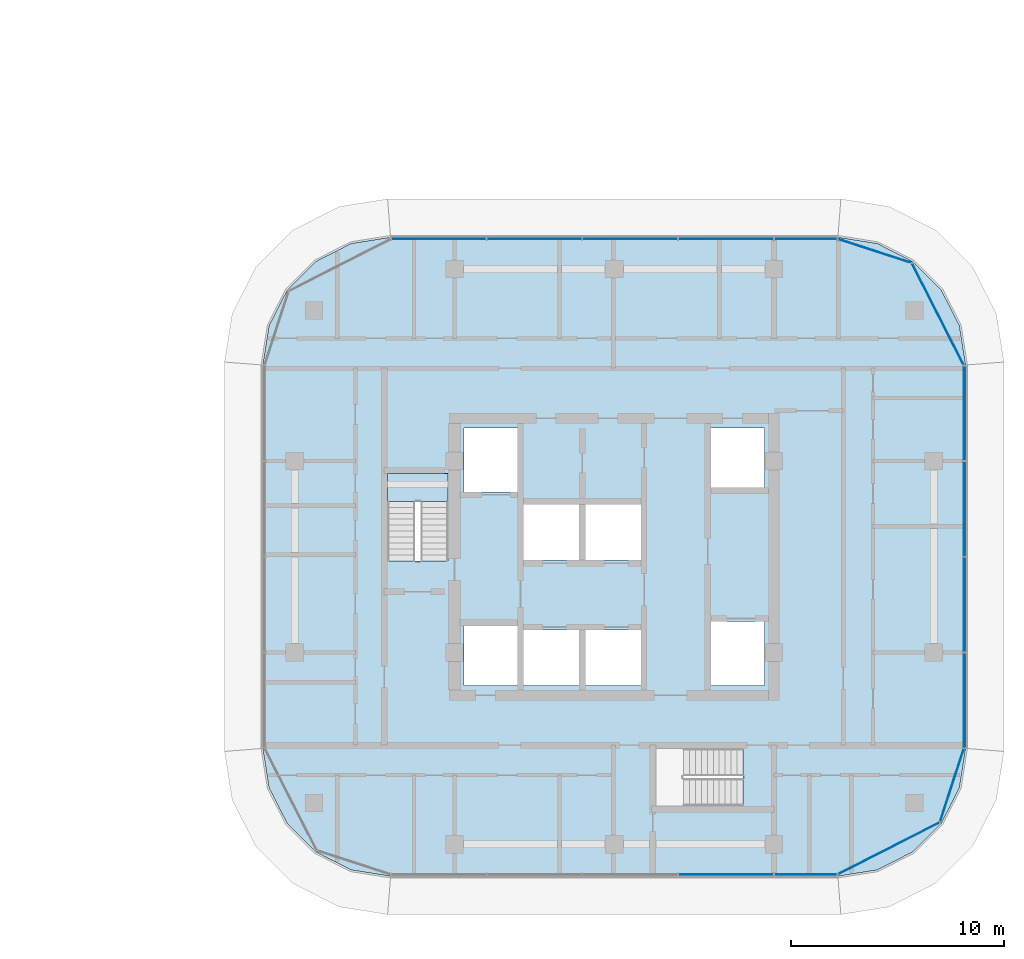
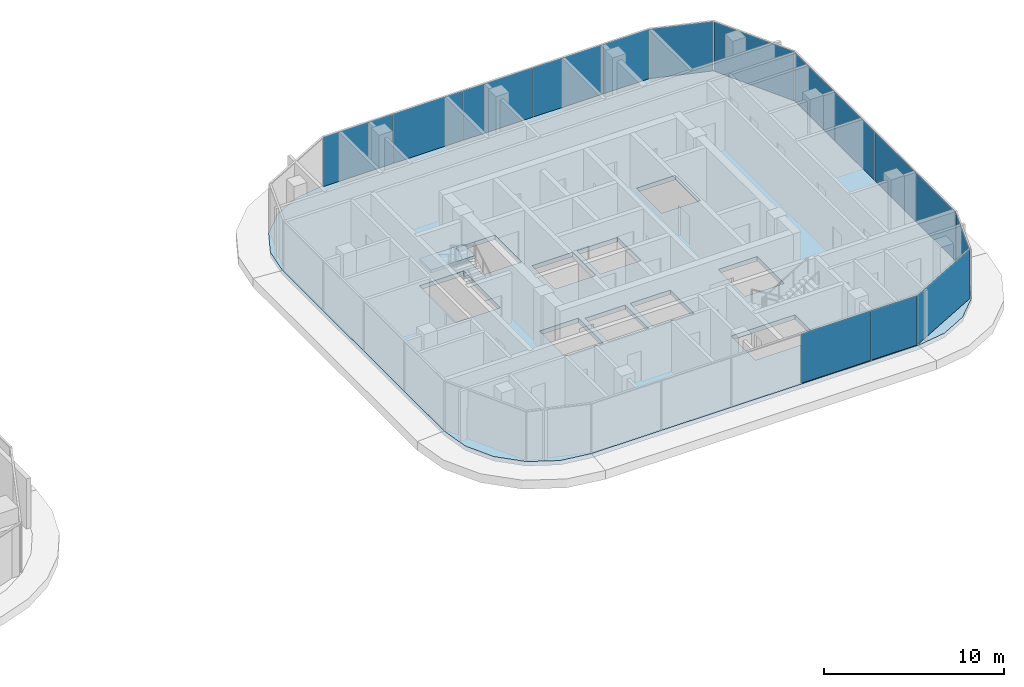
# One storey, part 15 of 36: 15 plates, 2 slabs, 6 elements without a shape of their own.
"""IFC4 building model written with IfcOpenShell, lengths in metres."""

from ifc_helpers import new_model, si_unit, direction, frame, origin, origin_2d, place, context, subcontext, project, spatial, polyline, rectangle, outline, extrude, material, layer, layer_set, type_object, element, aggregate, save


model = new_model("IFC4")

# Units and contexts
model_context = context("Model", 3, precision=1e-05, world=origin(), true_north=direction((0.0, 1.0)))
body_context = subcontext(model_context, "Body", "Model", "MODEL_VIEW")
ifc_project = project(units=[si_unit("LENGTHUNIT", "METRE"), si_unit("AREAUNIT", "SQUARE_METRE"), si_unit("VOLUMEUNIT", "CUBIC_METRE"), si_unit("PLANEANGLEUNIT", "RADIAN"), si_unit("MASSUNIT", "GRAM", prefix="KILO")], contexts=[model_context])

# Site, building, storey
site_placement = place(None, origin())
site = spatial("IfcSite", under=ifc_project, at=site_placement, CompositionType="ELEMENT")
building_placement = place(site_placement, origin())
building = spatial("IfcBuilding", under=site, at=building_placement, Name="Ogive Portal Towers", CompositionType="ELEMENT")
storey_placement = place(building_placement, frame((0.0, 0.0, 70.5)))
storey = spatial("IfcBuildingStorey", under=building, at=storey_placement, Name="L16", CompositionType="ELEMENT", Elevation=70.5)

# Curtain wall, plates
ifc_material_1 = material(Name="Glass, clear low-iron insulated glazing", Category="glass")
curtain_wall_type = type_object("IfcCurtainWallType", Name="CW RESIDENCES RIBBON", PredefinedType="NOTDEFINED", material=ifc_material_1)
curtain_wall_1_placement = place(storey_placement, origin())
curtain_wall_1 = element("IfcCurtainWall", 1, at=curtain_wall_1_placement, inside=storey, type_object=curtain_wall_type, Name="B:L16:f02:cw0", PredefinedType="NOTDEFINED")
ifc_layer_1 = layer(ifc_material_1, 0.028076171875)
ifc_layer_set_1 = layer_set([ifc_layer_1], Name="CW PANEL IGU 28")
plate_type = type_object("IfcPlateType", Name="CW PANEL IGU 28", PredefinedType="CURTAIN_PANEL", material=ifc_layer_set_1)
plate_1_placement = place(storey_placement, frame((141.75, 16.080078125, 0.0), z_axis=(0.0, 0.0, 1.0), x_axis=(1.0, 0.0, 0.0)))
plate_1 = element("IfcPlate", 2, at=plate_1_placement, type_object=plate_type, Name="panel", PredefinedType="CURTAIN_PANEL", context=body_context, shape_type="SweptSolid", body=[
    extrude(rectangle(XDim=4.43994140625, YDim=0.028076171875, at=origin_2d()), origin(), (0.0, 0.0, 1.0), 3.340087890625),
])
plate_2_placement = place(storey_placement, frame((145.490478515625, 16.080078125, 0.0), z_axis=(0.0, 0.0, 1.0), x_axis=(1.0, 0.0, 0.0)))
plate_2 = element("IfcPlate", 3, at=plate_2_placement, type_object=plate_type, Name="panel", PredefinedType="CURTAIN_PANEL", context=body_context, shape_type="SweptSolid", body=[
    extrude(rectangle(XDim=2.9208984375, YDim=0.028076171875, at=origin_2d()), origin(), (0.0, 0.0, 1.0), 3.340087890625),
])
aggregate(curtain_wall_1, [plate_1, plate_2])

curtain_wall_2_placement = place(storey_placement, origin())
curtain_wall_2 = element("IfcCurtainWall", 4, at=curtain_wall_2_placement, inside=storey, type_object=curtain_wall_type, Name="B:L16:f05:cw0", PredefinedType="NOTDEFINED")
plate_3_placement = place(storey_placement, frame((152.919921875, 24.25634765625, 0.0), z_axis=(0.0, 0.0, 1.0), x_axis=(0.0, 1.0, 0.0)))
plate_3 = element("IfcPlate", 5, at=plate_3_placement, type_object=plate_type, Name="panel", PredefinedType="CURTAIN_PANEL", context=body_context, shape_type="SweptSolid", body=[
    extrude(rectangle(XDim=4.42724609375, YDim=0.028076171875, at=origin_2d()), origin(), (0.0, 0.0, 1.0), 3.340087890625),
])
plate_4_placement = place(storey_placement, frame((152.919921875, 28.75, 0.0), z_axis=(0.0, 0.0, 1.0), x_axis=(0.0, 1.0, 0.0)))
plate_4 = element("IfcPlate", 6, at=plate_4_placement, type_object=plate_type, Name="panel", PredefinedType="CURTAIN_PANEL", context=body_context, shape_type="SweptSolid", body=[
    extrude(rectangle(XDim=4.43994140625, YDim=0.028076171875, at=origin_2d()), origin(), (0.0, 0.0, 1.0), 3.340087890625),
])
plate_5_placement = place(storey_placement, frame((152.919921875, 33.25, 0.0), z_axis=(0.0, 0.0, 1.0), x_axis=(0.0, 1.0, 0.0)))
plate_5 = element("IfcPlate", 7, at=plate_5_placement, type_object=plate_type, Name="panel", PredefinedType="CURTAIN_PANEL", context=body_context, shape_type="SweptSolid", body=[
    extrude(rectangle(XDim=4.43994140625, YDim=0.028076171875, at=origin_2d()), origin(), (0.0, 0.0, 1.0), 3.340087890625),
])
plate_6_placement = place(storey_placement, frame((152.919921875, 37.740478515625, 0.0), z_axis=(0.0, 0.0, 1.0), x_axis=(0.0, 1.0, 0.0)))
plate_6 = element("IfcPlate", 8, at=plate_6_placement, type_object=plate_type, Name="panel", PredefinedType="CURTAIN_PANEL", context=body_context, shape_type="SweptSolid", body=[
    extrude(rectangle(XDim=4.4208984375, YDim=0.028076171875, at=origin_2d()), origin(), (0.0, 0.0, 1.0), 3.340087890625),
])
aggregate(curtain_wall_2, [plate_3, plate_4, plate_5, plate_6])

curtain_wall_3_placement = place(storey_placement, origin())
curtain_wall_3 = element("IfcCurtainWall", 9, at=curtain_wall_3_placement, inside=storey, type_object=curtain_wall_type, Name="B:L16:f08:cw0", PredefinedType="NOTDEFINED")
plate_7_placement = place(storey_placement, frame((145.49365234375, 45.919921875, 0.0), z_axis=(0.0, 0.0, 1.0), x_axis=(-1.0, 0.0, 0.0)))
plate_7 = element("IfcPlate", 10, at=plate_7_placement, type_object=plate_type, Name="panel", PredefinedType="CURTAIN_PANEL", context=body_context, shape_type="SweptSolid", body=[
    extrude(rectangle(XDim=2.92724609375, YDim=0.028076171875, at=origin_2d()), origin(), (0.0, 0.0, 1.0), 3.340087890625),
])
plate_8_placement = place(storey_placement, frame((141.75, 45.919921875, 0.0), z_axis=(0.0, 0.0, 1.0), x_axis=(-1.0, 0.0, 0.0)))
plate_8 = element("IfcPlate", 11, at=plate_8_placement, type_object=plate_type, Name="panel", PredefinedType="CURTAIN_PANEL", context=body_context, shape_type="SweptSolid", body=[
    extrude(rectangle(XDim=4.43994140625, YDim=0.028076171875, at=origin_2d()), origin(), (0.0, 0.0, 1.0), 3.340087890625),
])
plate_9_placement = place(storey_placement, frame((137.25, 45.919921875, 0.0), z_axis=(0.0, 0.0, 1.0), x_axis=(-1.0, 0.0, 0.0)))
plate_9 = element("IfcPlate", 12, at=plate_9_placement, type_object=plate_type, Name="panel", PredefinedType="CURTAIN_PANEL", context=body_context, shape_type="SweptSolid", body=[
    extrude(rectangle(XDim=4.43994140625, YDim=0.028076171875, at=origin_2d()), origin(), (0.0, 0.0, 1.0), 3.340087890625),
])
plate_10_placement = place(storey_placement, frame((132.75, 45.919921875, 0.0), z_axis=(0.0, 0.0, 1.0), x_axis=(-1.0, 0.0, 0.0)))
plate_10 = element("IfcPlate", 13, at=plate_10_placement, type_object=plate_type, Name="panel", PredefinedType="CURTAIN_PANEL", context=body_context, shape_type="SweptSolid", body=[
    extrude(rectangle(XDim=4.43994140625, YDim=0.028076171875, at=origin_2d()), origin(), (0.0, 0.0, 1.0), 3.340087890625),
])
plate_11_placement = place(storey_placement, frame((128.259521484375, 45.919921875, 0.0), z_axis=(0.0, 0.0, 1.0), x_axis=(-1.0, 0.0, 0.0)))
plate_11 = element("IfcPlate", 14, at=plate_11_placement, type_object=plate_type, Name="panel", PredefinedType="CURTAIN_PANEL", context=body_context, shape_type="SweptSolid", body=[
    extrude(rectangle(XDim=4.4208984375, YDim=0.028076171875, at=origin_2d()), origin(), (0.0, 0.0, 1.0), 3.340087890625),
])
aggregate(curtain_wall_3, [plate_7, plate_8, plate_9, plate_10, plate_11])

curtain_wall_4_placement = place(storey_placement, origin())
curtain_wall_4 = element("IfcCurtainWall", 15, at=curtain_wall_4_placement, inside=storey, type_object=curtain_wall_type, Name="B:L16:f03:cwa", PredefinedType="NOTDEFINED")
plate_12_placement = place(storey_placement, frame((149.384521484375, 17.3046875, 0.0), z_axis=(0.0, 0.0, 1.0), x_axis=(0.891006524188, 0.45399049974, 0.0)))
plate_12 = element("IfcPlate", 16, at=plate_12_placement, type_object=plate_type, Name="panel", PredefinedType="CURTAIN_PANEL", context=body_context, shape_type="SweptSolid", body=[
    extrude(rectangle(XDim=5.33544921875, YDim=0.028076171875, at=origin_2d()), origin(), (0.0, 0.0, 1.0), 3.340087890625),
])
plate_13_placement = place(storey_placement, frame((152.354248046875, 20.27099609375, 0.0), z_axis=(0.0, 0.0, 1.0), x_axis=(0.309016994375, 0.951056516295, 0.0)))
plate_13 = element("IfcPlate", 17, at=plate_13_placement, type_object=plate_type, Name="panel", PredefinedType="CURTAIN_PANEL", context=body_context, shape_type="SweptSolid", body=[
    extrude(rectangle(XDim=3.602294921875, YDim=0.028076171875, at=origin_2d()), origin(), (0.0, 0.0, 1.0), 3.340087890625),
])
aggregate(curtain_wall_4, [plate_12, plate_13])

curtain_wall_5_placement = place(storey_placement, origin())
curtain_wall_5 = element("IfcCurtainWall", 18, at=curtain_wall_5_placement, inside=storey, type_object=curtain_wall_type, Name="B:L16:f06:cwa", PredefinedType="NOTDEFINED")
plate_14_placement = place(storey_placement, frame((151.6953125, 42.384521484375, 0.0), z_axis=(0.0, 0.0, 1.0), x_axis=(-0.45399049974, 0.891006524188, 0.0)))
plate_14 = element("IfcPlate", 19, at=plate_14_placement, type_object=plate_type, Name="panel", PredefinedType="CURTAIN_PANEL", context=body_context, shape_type="SweptSolid", body=[
    extrude(rectangle(XDim=5.33544921875, YDim=0.028076171875, at=origin_2d()), origin(), (0.0, 0.0, 1.0), 3.340087890625),
])
plate_15_placement = place(storey_placement, frame((148.72900390625, 45.354248046875, 0.0), z_axis=(0.0, 0.0, 1.0), x_axis=(-0.951056516295, 0.309016994375, 0.0)))
plate_15 = element("IfcPlate", 20, at=plate_15_placement, type_object=plate_type, Name="panel", PredefinedType="CURTAIN_PANEL", context=body_context, shape_type="SweptSolid", body=[
    extrude(rectangle(XDim=3.602294921875, YDim=0.028076171875, at=origin_2d()), origin(), (0.0, 0.0, 1.0), 3.340087890625),
])
aggregate(curtain_wall_5, [plate_14, plate_15])

# Stair, slab
ifc_material_2 = material(Name="Concrete C40/50", Category="concrete")
stair_type = type_object("IfcStairType", Name="INT-STAIR", PredefinedType="HALF_TURN_STAIR", material=ifc_material_2)
stair_placement = place(storey_placement, origin())
stair = element("IfcStair", 21, at=stair_placement, inside=storey, type_object=stair_type, Name="L16 Exit Stair ST-B1", PredefinedType="HALF_TURN_STAIR")
ifc_layer_2 = layer(ifc_material_2, 0.199951171875)
ifc_layer_set_2 = layer_set([ifc_layer_2], Name="INT-LANDING")
slab_type_1 = type_object("IfcSlabType", Name="INT-LANDING", PredefinedType="LANDING", material=ifc_layer_set_2)
slab_1_placement = place(storey_placement, frame((0.0, 0.0, 1.64990234375)))
slab_1 = element("IfcSlab", 22, at=slab_1_placement, type_object=slab_type_1, Name="ST-B1 landing 1", PredefinedType="LANDING", context=body_context, shape_type="SweptSolid", body=[
    extrude(outline(polyline([(128.699951171875, 33.60009765625), (128.699951171875, 34.89990234375), (125.85009765625, 34.89990234375), (125.85009765625, 33.60009765625), (128.699951171875, 33.60009765625)])), origin(), (0.0, 0.0, 1.0), 0.2001953125),
])
aggregate(stair, [slab_1])

# Slab
ifc_material_3 = material(Name="Concrete C45/55", Category="concrete")
ifc_layer_3 = layer(ifc_material_3, 0.300048828125)
ifc_layer_set_3 = layer_set([ifc_layer_3], Name="PT FLAT PLATE 300")
slab_type_2 = type_object("IfcSlabType", Name="PT FLAT PLATE 300", PredefinedType="FLOOR", material=ifc_layer_set_3)
slab_2_placement = place(storey_placement, frame((0.0, 0.0, -0.300048828125)))
element("IfcSlab", 23, at=slab_2_placement, inside=storey, type_object=slab_type_2, Name="Floor slab L16", PredefinedType="FLOOR", context=body_context, shape_type="SweptSolid", body=[
    extrude(outline(polyline([(120.0, 40.0), (120.0, 22.0), (120.293701171875, 20.14599609375), (121.14599609375, 18.473388671875), (122.473388671875, 17.14599609375), (124.14599609375, 16.293701171875), (126.0, 16.0), (147.0, 16.0), (148.85400390625, 16.293701171875), (150.526611328125, 17.14599609375), (151.85400390625, 18.473388671875), (152.706298828125, 20.14599609375), (153.0, 22.0), (153.0, 40.0), (152.706298828125, 41.85400390625), (151.85400390625, 43.526611328125), (150.526611328125, 44.85400390625), (148.85400390625, 45.706298828125), (147.0, 46.0), (126.0, 46.0), (124.14599609375, 45.706298828125), (122.473388671875, 44.85400390625), (121.14599609375, 43.526611328125), (120.293701171875, 41.85400390625), (120.0, 40.0)]), holes=[polyline([(131.949951171875, 27.75), (131.949951171875, 24.949951171875), (129.449951171875, 24.949951171875), (129.449951171875, 27.75), (131.949951171875, 27.75)]), polyline([(128.697998046875, 34.89794921875), (128.697998046875, 30.802001953125), (125.85205078125, 30.802001953125), (125.85205078125, 34.89794921875), (128.697998046875, 34.89794921875)]), polyline([(131.949951171875, 37.050048828125), (131.949951171875, 34.050048828125), (129.449951171875, 34.050048828125), (129.449951171875, 37.050048828125), (131.949951171875, 37.050048828125)]), polyline([(138.451904296875, 21.998046875), (142.548095703125, 21.998046875), (142.548095703125, 19.302001953125), (138.451904296875, 19.302001953125), (138.451904296875, 21.998046875)]), polyline([(134.85009765625, 27.550048828125), (134.85009765625, 24.949951171875), (132.25, 24.949951171875), (132.25, 27.550048828125), (134.85009765625, 27.550048828125)]), polyline([(137.75, 27.550048828125), (137.75, 24.949951171875), (135.14990234375, 24.949951171875), (135.14990234375, 27.550048828125), (137.75, 27.550048828125)]), polyline([(143.550048828125, 27.949951171875), (143.550048828125, 24.949951171875), (141.050048828125, 24.949951171875), (141.050048828125, 27.949951171875), (143.550048828125, 27.949951171875)]), polyline([(134.85009765625, 33.449951171875), (134.85009765625, 30.85009765625), (132.25, 30.85009765625), (132.25, 33.449951171875), (134.85009765625, 33.449951171875)]), polyline([(137.75, 33.449951171875), (137.75, 30.85009765625), (135.14990234375, 30.85009765625), (135.14990234375, 33.449951171875), (137.75, 33.449951171875)]), polyline([(141.050048828125, 37.050048828125), (143.550048828125, 37.050048828125), (143.550048828125, 34.25), (141.050048828125, 34.25), (141.050048828125, 37.050048828125)])]), origin(), (0.0, 0.0, 1.0), 0.300048828125),
])

save(model, "model.ifc")
